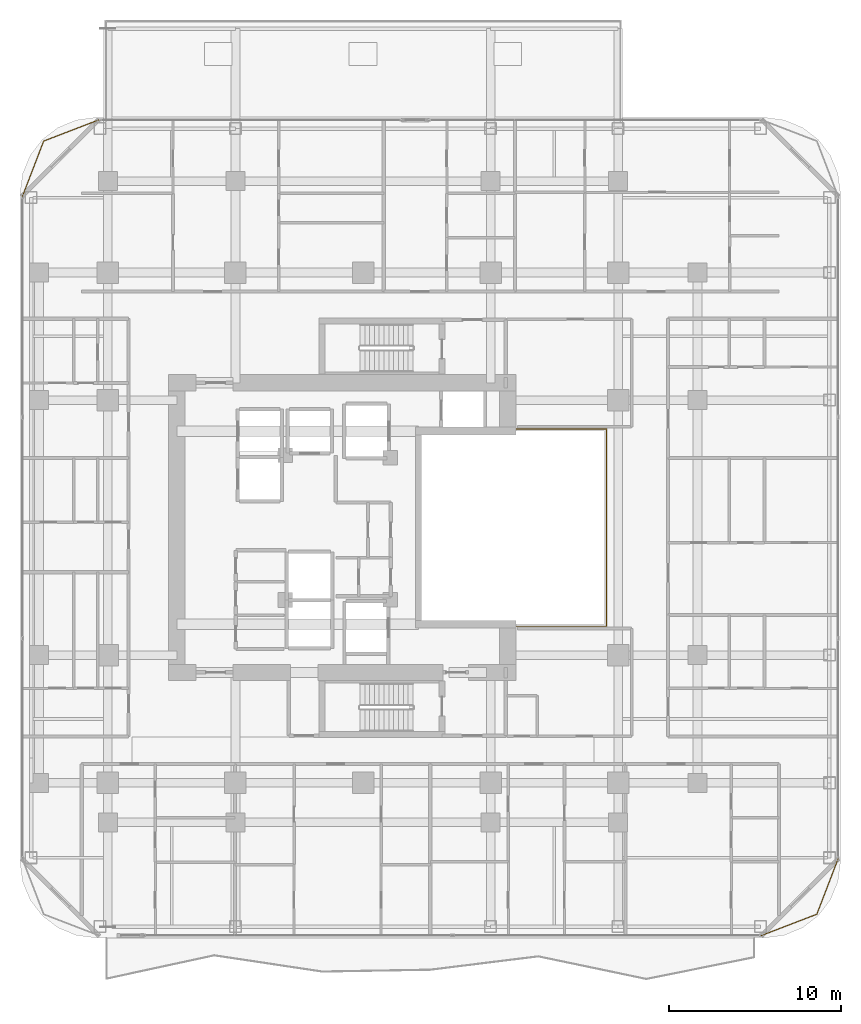
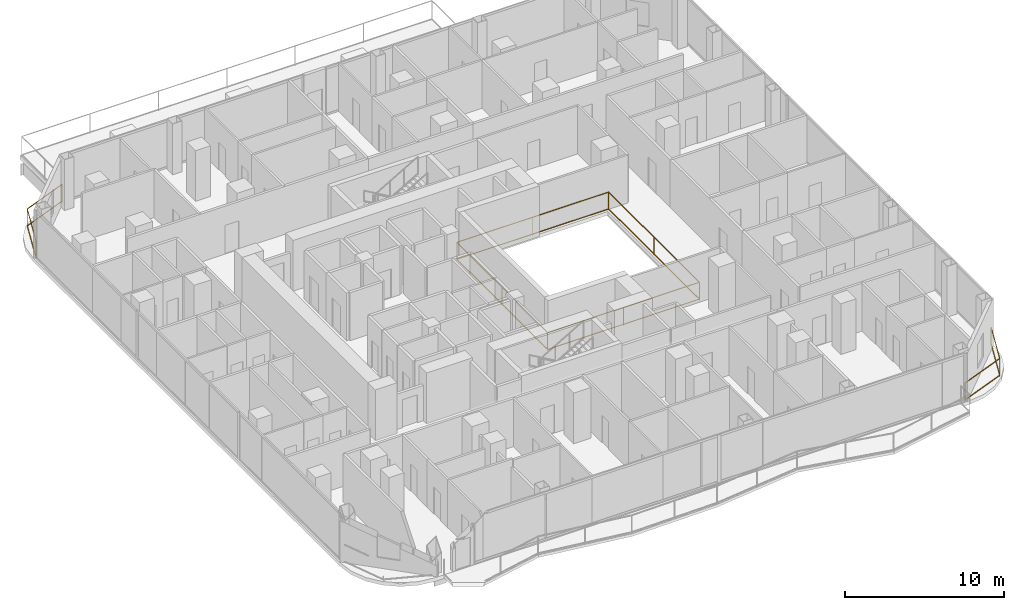
# One storey, part 28 of 29: 3 railings.
"""IFC4 building model written with IfcOpenShell, lengths in metres."""

from ifc_helpers import new_model, si_unit, direction, frame, origin, origin_2d, place, context, subcontext, project, spatial, rectangle, extrude, material, type_object, element, save


model = new_model("IFC4")

# Units and contexts
model_context = context("Model", 3, precision=1e-05, world=origin(), true_north=direction((0.0, 1.0)))
body_context = subcontext(model_context, "Body", "Model", "MODEL_VIEW")
ifc_project = project(units=[si_unit("LENGTHUNIT", "METRE"), si_unit("AREAUNIT", "SQUARE_METRE"), si_unit("VOLUMEUNIT", "CUBIC_METRE"), si_unit("PLANEANGLEUNIT", "RADIAN"), si_unit("MASSUNIT", "GRAM", prefix="KILO")], contexts=[model_context])

# Site, building, storey
site_placement = place(None, origin())
site = spatial("IfcSite", under=ifc_project, at=site_placement, CompositionType="ELEMENT")
building_placement = place(site_placement, origin())
building = spatial("IfcBuilding", under=site, at=building_placement, Name="Khorvyn Point Tower", CompositionType="ELEMENT")
storey_placement = place(building_placement, frame((0.0, 0.0, 136.800048828125)))
storey = spatial("IfcBuildingStorey", under=building, at=storey_placement, Name="L34", CompositionType="ELEMENT", Elevation=136.800048828125)

# Railings
ifc_material_1 = material(Name="Stainless steel 1.4401 and laminated glass", Category="steel")
railing_type_1 = type_object("IfcRailingType", Name="Crystal Atrium Smoke-Rated Perimeter Guardrail 1400", PredefinedType="GUARDRAIL", material=ifc_material_1)
railing_1_placement = place(storey_placement, frame((3.080078125, -5.719970703125, 0.0)))
element("IfcRailing", 1, at=railing_1_placement, inside=storey, type_object=railing_type_1, Name="L34 Crystal Atrium Perimeter Guardrail", PredefinedType="GUARDRAIL", context=body_context, shape_type="SweptSolid", body=[
    extrude(rectangle(XDim=0.048095703125, YDim=0.048095703125, at=origin_2d()), frame((0.0, 0.0, 1.3759765625), z_axis=(1.0, 0.0, 0.0), x_axis=(0.0, 1.0, 0.0)), (0.0, 0.0, 1.0), 11.0400390625),
    extrude(rectangle(XDim=0.048095703125, YDim=0.048095703125, at=origin_2d()), frame((0.0, 0.0, 0.080078125), z_axis=(1.0, 0.0, 0.0), x_axis=(0.0, 1.0, 0.0)), (0.0, 0.0, 1.0), 11.0400390625),
    extrude(rectangle(XDim=0.048095703125, YDim=0.048095703125, at=origin_2d()), frame((11.0400390625, 0.0, 1.3759765625), z_axis=(0.0, 1.0, 0.0), x_axis=(-1.0, 0.0, 0.0)), (0.0, 0.0, 1.0), 11.43994140625),
    extrude(rectangle(XDim=0.048095703125, YDim=0.048095703125, at=origin_2d()), frame((11.0400390625, 0.0, 0.080078125), z_axis=(0.0, 1.0, 0.0), x_axis=(-1.0, 0.0, 0.0)), (0.0, 0.0, 1.0), 11.43994140625),
    extrude(rectangle(XDim=0.048095703125, YDim=0.048095703125, at=origin_2d()), frame((11.0400390625, 11.43994140625, 1.3759765625), z_axis=(-1.0, 0.0, 0.0), x_axis=(0.0, -1.0, 0.0)), (0.0, 0.0, 1.0), 11.0400390625),
    extrude(rectangle(XDim=0.048095703125, YDim=0.048095703125, at=origin_2d()), frame((11.0400390625, 11.43994140625, 0.080078125), z_axis=(-1.0, 0.0, 0.0), x_axis=(0.0, -1.0, 0.0)), (0.0, 0.0, 1.0), 11.0400390625),
    extrude(rectangle(XDim=0.048095703125, YDim=0.048095703125, at=origin_2d()), frame((0.0, 11.43994140625, 1.3759765625), z_axis=(0.0, -1.0, 0.0), x_axis=(1.0, 0.0, 0.0)), (0.0, 0.0, 1.0), 11.409912109375),
    extrude(rectangle(XDim=0.048095703125, YDim=0.048095703125, at=origin_2d()), frame((0.0, 11.43994140625, 0.080078125), z_axis=(0.0, -1.0, 0.0), x_axis=(1.0, 0.0, 0.0)), (0.0, 0.0, 1.0), 11.409912109375),
    extrude(rectangle(XDim=0.0419921875, YDim=0.0419921875, at=origin_2d()), origin(), (0.0, 0.0, 1.0), 1.351806640625),
    extrude(rectangle(XDim=0.0419921875, YDim=0.0419921875, at=origin_2d()), frame((5.52001953125, 0.0, 0.0)), (0.0, 0.0, 1.0), 1.351806640625),
    extrude(rectangle(XDim=0.0419921875, YDim=0.0419921875, at=origin_2d()), frame((11.0400390625, 0.0, 0.0)), (0.0, 0.0, 1.0), 1.351806640625),
    extrude(rectangle(XDim=0.0419921875, YDim=0.0419921875, at=origin_2d()), frame((11.0400390625, 5.719970703125, 0.0)), (0.0, 0.0, 1.0), 1.351806640625),
    extrude(rectangle(XDim=0.0419921875, YDim=0.0419921875, at=origin_2d()), frame((11.0400390625, 11.43994140625, 0.0)), (0.0, 0.0, 1.0), 1.351806640625),
    extrude(rectangle(XDim=0.0419921875, YDim=0.0419921875, at=origin_2d()), frame((5.52001953125, 11.43994140625, 0.0)), (0.0, 0.0, 1.0), 1.351806640625),
    extrude(rectangle(XDim=0.0419921875, YDim=0.0419921875, at=origin_2d()), frame((0.0, 11.43994140625, 0.0)), (0.0, 0.0, 1.0), 1.351806640625),
    extrude(rectangle(XDim=0.0419921875, YDim=0.0419921875, at=origin_2d()), frame((0.0, 5.73486328125, 0.0)), (0.0, 0.0, 1.0), 1.351806640625),
    extrude(rectangle(XDim=0.0419921875, YDim=0.0419921875, at=origin_2d()), frame((0.0, 0.030029296875, 0.0)), (0.0, 0.0, 1.0), 1.351806640625),
])
ifc_material_2 = material(Name="Anodised aluminium 6063-T6 and laminated safety glass", Category="aluminium")
railing_type_2 = type_object("IfcRailingType", Name="Laminated Glass and Aluminium Balcony Guardrail 1400", PredefinedType="BALUSTRADE", material=ifc_material_2)
railing_2_placement = place(storey_placement, frame((-15.27587890625, 23.674072265625, 0.0)))
element("IfcRailing", 2, at=railing_2_placement, inside=storey, type_object=railing_type_2, Name="L34 Rounded Corner Edge Guardrail NW", PredefinedType="BALUSTRADE", context=body_context, shape_type="SweptSolid", body=[
    extrude(rectangle(XDim=0.048095703125, YDim=0.048095703125, at=origin_2d()), frame((0.0, 0.0, 1.3759765625), z_axis=(-0.933598390295, -0.358321148746, 0.0), x_axis=(0.358321148746, -0.933598390295, 0.0)), (0.0, 0.0, 1.0), 3.481689453125),
    extrude(rectangle(XDim=0.048095703125, YDim=0.048095703125, at=origin_2d()), frame((0.0, 0.0, 0.080078125), z_axis=(-0.933598390295, -0.358321148746, 0.0), x_axis=(0.358321148746, -0.933598390295, 0.0)), (0.0, 0.0, 1.0), 3.481689453125),
    extrude(rectangle(XDim=0.048095703125, YDim=0.048095703125, at=origin_2d()), frame((-3.25048828125, -1.24755859375, 1.3759765625), z_axis=(-0.358382264808, -0.933574931257, 0.0), x_axis=(0.933574931257, -0.358382264808, 0.0)), (0.0, 0.0, 1.0), 3.481689453125),
    extrude(rectangle(XDim=0.048095703125, YDim=0.048095703125, at=origin_2d()), frame((-3.25048828125, -1.24755859375, 0.080078125), z_axis=(-0.358382264808, -0.933574931257, 0.0), x_axis=(0.933574931257, -0.358382264808, 0.0)), (0.0, 0.0, 1.0), 3.481689453125),
    extrude(rectangle(XDim=0.0419921875, YDim=0.0419921875, at=origin_2d()), origin(), (0.0, 0.0, 1.0), 1.351806640625),
    extrude(rectangle(XDim=0.0419921875, YDim=0.0419921875, at=origin_2d()), frame((-3.25048828125, -1.24755859375, 0.0)), (0.0, 0.0, 1.0), 1.351806640625),
    extrude(rectangle(XDim=0.0419921875, YDim=0.0419921875, at=origin_2d()), frame((-4.498291015625, -4.498046875, 0.0)), (0.0, 0.0, 1.0), 1.351806640625),
])
railing_3_placement = place(storey_placement, frame((23.075927734375, -23.674072265625, 0.0)))
element("IfcRailing", 3, at=railing_3_placement, inside=storey, type_object=railing_type_2, Name="L34 Rounded Corner Edge Guardrail SE", PredefinedType="BALUSTRADE", context=body_context, shape_type="SweptSolid", body=[
    extrude(rectangle(XDim=0.048095703125, YDim=0.048095703125, at=origin_2d()), frame((0.0, 0.0, 1.3759765625), z_axis=(0.933598390295, 0.358321148746, 0.0), x_axis=(-0.358321148746, 0.933598390295, 0.0)), (0.0, 0.0, 1.0), 3.481689453125),
    extrude(rectangle(XDim=0.048095703125, YDim=0.048095703125, at=origin_2d()), frame((0.0, 0.0, 0.080078125), z_axis=(0.933598390295, 0.358321148746, 0.0), x_axis=(-0.358321148746, 0.933598390295, 0.0)), (0.0, 0.0, 1.0), 3.481689453125),
    extrude(rectangle(XDim=0.048095703125, YDim=0.048095703125, at=origin_2d()), frame((3.25048828125, 1.24755859375, 1.3759765625), z_axis=(0.358382264808, 0.933574931257, 0.0), x_axis=(-0.933574931257, 0.358382264808, 0.0)), (0.0, 0.0, 1.0), 3.481689453125),
    extrude(rectangle(XDim=0.048095703125, YDim=0.048095703125, at=origin_2d()), frame((3.25048828125, 1.24755859375, 0.080078125), z_axis=(0.358382264808, 0.933574931257, 0.0), x_axis=(-0.933574931257, 0.358382264808, 0.0)), (0.0, 0.0, 1.0), 3.481689453125),
    extrude(rectangle(XDim=0.0419921875, YDim=0.0419921875, at=origin_2d()), origin(), (0.0, 0.0, 1.0), 1.351806640625),
    extrude(rectangle(XDim=0.0419921875, YDim=0.0419921875, at=origin_2d()), frame((3.25048828125, 1.24755859375, 0.0)), (0.0, 0.0, 1.0), 1.351806640625),
    extrude(rectangle(XDim=0.0419921875, YDim=0.0419921875, at=origin_2d()), frame((4.498291015625, 4.498046875, 0.0)), (0.0, 0.0, 1.0), 1.351806640625),
])

save(model, "model.ifc")
